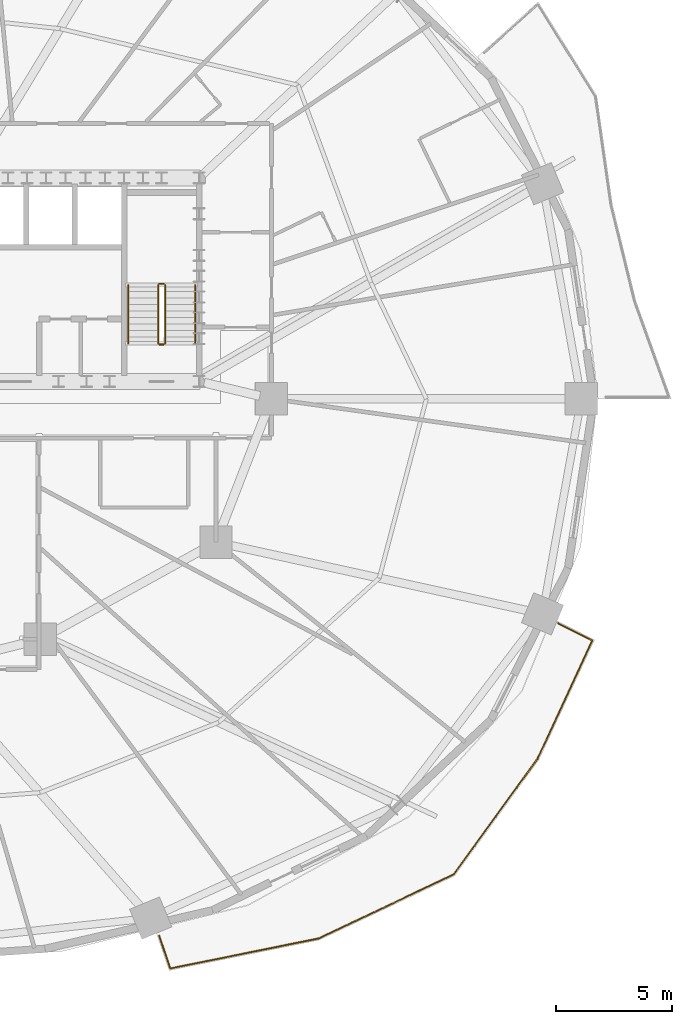
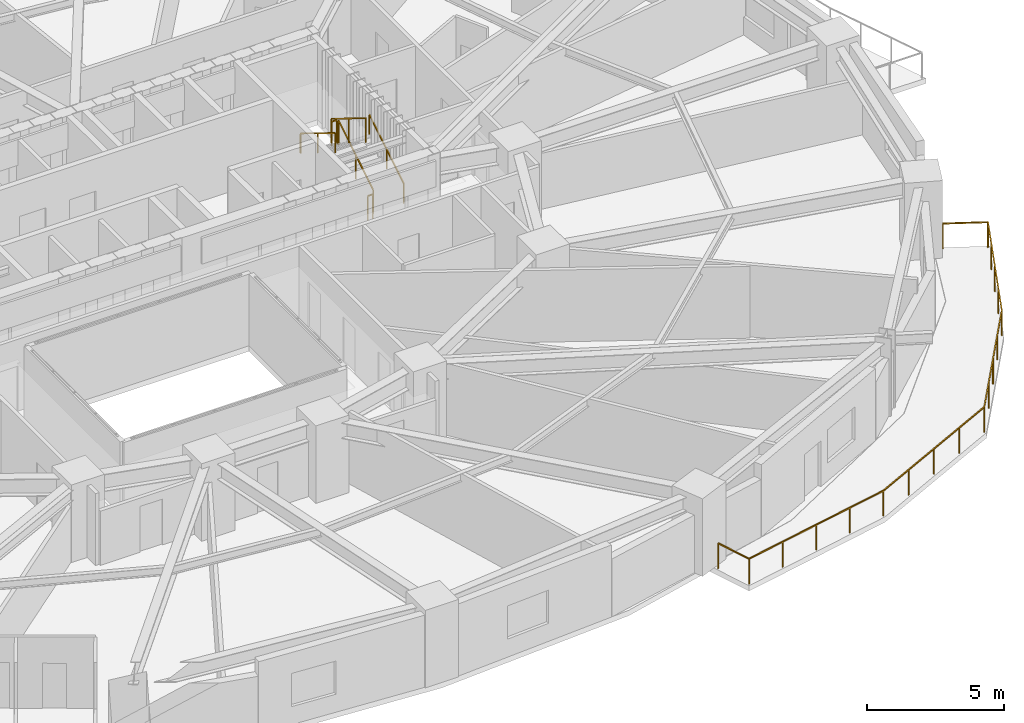
# One storey, part 16 of 17: 7 railings.
"""IFC4 building model written with IfcOpenShell, lengths in metres."""

from ifc_helpers import new_model, si_unit, direction, frame, origin, origin_2d, place, context, subcontext, project, spatial, rectangle, extrude, material, type_object, element, save


model = new_model("IFC4")

# Units and contexts
model_context = context("Model", 3, precision=1e-05, world=origin(), true_north=direction((0.0, 1.0)))
body_context = subcontext(model_context, "Body", "Model", "MODEL_VIEW")
ifc_project = project(units=[si_unit("LENGTHUNIT", "METRE"), si_unit("AREAUNIT", "SQUARE_METRE"), si_unit("VOLUMEUNIT", "CUBIC_METRE"), si_unit("PLANEANGLEUNIT", "RADIAN"), si_unit("MASSUNIT", "GRAM", prefix="KILO")], contexts=[model_context])

# Site, building, storey
site_placement = place(None, origin())
site = spatial("IfcSite", under=ifc_project, at=site_placement, CompositionType="ELEMENT")
building_placement = place(site_placement, origin())
building = spatial("IfcBuilding", under=site, at=building_placement, Name="Haldorwick Loom Tower", CompositionType="ELEMENT")
storey_placement = place(building_placement, frame((0.0, 0.0, 65.39990234375)))
storey = spatial("IfcBuildingStorey", under=building, at=storey_placement, Name="L17", CompositionType="ELEMENT", Elevation=65.39990234375)

# Railings
ifc_material_1 = material(Name="Galvanized Steel CSA G40.21 350W", Category="steel")
railing_type_1 = type_object("IfcRailingType", Name="ARC-RLG-BAL115", PredefinedType="BALUSTRADE", material=ifc_material_1)
railing_1_placement = place(storey_placement, frame((65.593994140625, 16.291748046875, 0.0)))
element("IfcRailing", 1, at=railing_1_placement, inside=storey, type_object=railing_type_1, Name="L17 Outdoor Terrace Guardrail SLB-L17-BAL_SE-1", PredefinedType="BALUSTRADE", context=body_context, shape_type="SweptSolid", body=[
    extrude(rectangle(XDim=0.048095703125, YDim=0.048095703125, at=origin_2d()), frame((0.0, 0.0, 1.1259765625), z_axis=(0.891661262254, -0.452703206744, 0.0), x_axis=(0.452703206744, 0.891661262254, 0.0)), (0.0, 0.0, 1.0), 1.65185546875),
    extrude(rectangle(XDim=0.048095703125, YDim=0.048095703125, at=origin_2d()), frame((1.472900390625, -0.747802734375, 1.1259765625), z_axis=(-0.420617836847, -0.907237915503, 0.0), x_axis=(0.907237915503, -0.420617836847, 0.0)), (0.0, 0.0, 1.0), 5.626220703125),
    extrude(rectangle(XDim=0.048095703125, YDim=0.048095703125, at=origin_2d()), frame((-0.8935546875, -5.85205078125, 1.1259765625), z_axis=(-0.586900247166, -0.809659249238, 0.0), x_axis=(0.809659249238, -0.586900247166, 0.0)), (0.0, 0.0, 1.0), 6.18017578125),
    extrude(rectangle(XDim=0.048095703125, YDim=0.048095703125, at=origin_2d()), frame((-4.520751953125, -10.85595703125, 1.1259765625), z_axis=(-0.903760901088, -0.428037654494, 0.0), x_axis=(0.428037654494, -0.903760901088, 0.0)), (0.0, 0.0, 1.0), 6.46630859375),
    extrude(rectangle(XDim=0.048095703125, YDim=0.048095703125, at=origin_2d()), frame((-10.36474609375, -13.623779296875, 1.1259765625), z_axis=(-0.980139965522, -0.198306953954, 0.0), x_axis=(0.198306953954, -0.980139965522, 0.0)), (0.0, 0.0, 1.0), 6.534912109375),
    extrude(rectangle(XDim=0.048095703125, YDim=0.048095703125, at=origin_2d()), frame((-16.769775390625, -14.919677734375, 1.1259765625), z_axis=(-0.32290577032, 0.946431119255, 0.0), x_axis=(-0.946431119255, -0.32290577032, 0.0)), (0.0, 0.0, 1.0), 1.500732421875),
    extrude(rectangle(XDim=0.0419921875, YDim=0.0419921875, at=origin_2d()), origin(), (0.0, 0.0, 1.0), 1.101806640625),
    extrude(rectangle(XDim=0.0419921875, YDim=0.0419921875, at=origin_2d()), frame((1.472900390625, -0.747802734375, 0.0)), (0.0, 0.0, 1.0), 1.101806640625),
    extrude(rectangle(XDim=0.0419921875, YDim=0.0419921875, at=origin_2d()), frame((0.88134765625, -2.02392578125, 0.0)), (0.0, 0.0, 1.0), 1.101806640625),
    extrude(rectangle(XDim=0.0419921875, YDim=0.0419921875, at=origin_2d()), frame((0.28955078125, -3.2998046875, 0.0)), (0.0, 0.0, 1.0), 1.101806640625),
    extrude(rectangle(XDim=0.0419921875, YDim=0.0419921875, at=origin_2d()), frame((-0.302001953125, -4.575927734375, 0.0)), (0.0, 0.0, 1.0), 1.101806640625),
    extrude(rectangle(XDim=0.0419921875, YDim=0.0419921875, at=origin_2d()), frame((-0.8935546875, -5.85205078125, 0.0)), (0.0, 0.0, 1.0), 1.101806640625),
    extrude(rectangle(XDim=0.0419921875, YDim=0.0419921875, at=origin_2d()), frame((-1.80029296875, -7.10302734375, 0.0)), (0.0, 0.0, 1.0), 1.101806640625),
    extrude(rectangle(XDim=0.0419921875, YDim=0.0419921875, at=origin_2d()), frame((-2.70703125, -8.35400390625, 0.0)), (0.0, 0.0, 1.0), 1.101806640625),
    extrude(rectangle(XDim=0.0419921875, YDim=0.0419921875, at=origin_2d()), frame((-3.614013671875, -9.60498046875, 0.0)), (0.0, 0.0, 1.0), 1.101806640625),
    extrude(rectangle(XDim=0.0419921875, YDim=0.0419921875, at=origin_2d()), frame((-4.520751953125, -10.85595703125, 0.0)), (0.0, 0.0, 1.0), 1.101806640625),
    extrude(rectangle(XDim=0.0419921875, YDim=0.0419921875, at=origin_2d()), frame((-5.981689453125, -11.5478515625, 0.0)), (0.0, 0.0, 1.0), 1.101806640625),
    extrude(rectangle(XDim=0.0419921875, YDim=0.0419921875, at=origin_2d()), frame((-7.44287109375, -12.23974609375, 0.0)), (0.0, 0.0, 1.0), 1.101806640625),
    extrude(rectangle(XDim=0.0419921875, YDim=0.0419921875, at=origin_2d()), frame((-8.90380859375, -12.931884765625, 0.0)), (0.0, 0.0, 1.0), 1.101806640625),
    extrude(rectangle(XDim=0.0419921875, YDim=0.0419921875, at=origin_2d()), frame((-10.36474609375, -13.623779296875, 0.0)), (0.0, 0.0, 1.0), 1.101806640625),
    extrude(rectangle(XDim=0.0419921875, YDim=0.0419921875, at=origin_2d()), frame((-11.966064453125, -13.94775390625, 0.0)), (0.0, 0.0, 1.0), 1.101806640625),
    extrude(rectangle(XDim=0.0419921875, YDim=0.0419921875, at=origin_2d()), frame((-13.5673828125, -14.271728515625, 0.0)), (0.0, 0.0, 1.0), 1.101806640625),
    extrude(rectangle(XDim=0.0419921875, YDim=0.0419921875, at=origin_2d()), frame((-15.16845703125, -14.595703125, 0.0)), (0.0, 0.0, 1.0), 1.101806640625),
    extrude(rectangle(XDim=0.0419921875, YDim=0.0419921875, at=origin_2d()), frame((-16.769775390625, -14.919677734375, 0.0)), (0.0, 0.0, 1.0), 1.101806640625),
    extrude(rectangle(XDim=0.0419921875, YDim=0.0419921875, at=origin_2d()), frame((-17.25439453125, -13.499267578125, 0.0)), (0.0, 0.0, 1.0), 1.101806640625),
])
ifc_material_2 = material(Name="Steel CSA G40.21 350W", Category="steel")
railing_type_2 = type_object("IfcRailingType", Name="ARC-RLG-GUARD112", PredefinedType="GUARDRAIL", material=ifc_material_2)
railing_2_placement = place(storey_placement, frame((48.60009765625, 28.39990234375, 0.172607421875)))
element("IfcRailing", 2, at=railing_2_placement, inside=storey, type_object=railing_type_2, Name="L17 ST-02 stair guard 1", PredefinedType="GUARDRAIL", context=body_context, shape_type="SweptSolid", body=[
    extrude(rectangle(XDim=0.048095703125, YDim=0.048095703125, at=origin_2d()), frame((0.0, 0.0, 1.076171875), z_axis=(0.0, 0.851400495292, 0.524516154772), x_axis=(-1.0, 0.0, 0.0)), (0.0, 0.0, 1.0), 2.9599609375),
    extrude(rectangle(XDim=0.0419921875, YDim=0.0419921875, at=origin_2d()), origin(), (0.0, 0.0, 1.0), 1.052001953125),
    extrude(rectangle(XDim=0.0419921875, YDim=0.0419921875, at=origin_2d()), frame((0.0, 1.260009765625, 0.7763671875)), (0.0, 0.0, 1.0), 1.052001953125),
    extrude(rectangle(XDim=0.0419921875, YDim=0.0419921875, at=origin_2d()), frame((0.0, 2.52001953125, 1.552490234375)), (0.0, 0.0, 1.0), 1.052001953125),
])
railing_3_placement = place(storey_placement, frame((48.550048828125, 30.969970703125, 1.72509765625)))
element("IfcRailing", 3, at=railing_3_placement, inside=storey, type_object=railing_type_2, Name="L17 ST-02 stair guard 2", PredefinedType="GUARDRAIL", context=body_context, shape_type="SweptSolid", body=[
    extrude(rectangle(XDim=0.048095703125, YDim=0.048095703125, at=origin_2d()), frame((0.0, 0.0, 1.076171875), z_axis=(-1.0, 0.0, 0.0), x_axis=(0.0, -1.0, 0.0)), (0.0, 0.0, 1.0), 0.199951171875),
    extrude(rectangle(XDim=0.0419921875, YDim=0.0419921875, at=origin_2d()), origin(), (0.0, 0.0, 1.0), 1.052001953125),
    extrude(rectangle(XDim=0.0419921875, YDim=0.0419921875, at=origin_2d()), frame((-0.199951171875, 0.0, 0.0)), (0.0, 0.0, 1.0), 1.052001953125),
])
railing_4_placement = place(storey_placement, frame((48.300048828125, 30.919921875, 1.897705078125)))
element("IfcRailing", 4, at=railing_4_placement, inside=storey, type_object=railing_type_2, Name="L17 ST-02 stair guard 3", PredefinedType="GUARDRAIL", context=body_context, shape_type="SweptSolid", body=[
    extrude(rectangle(XDim=0.048095703125, YDim=0.048095703125, at=origin_2d()), frame((0.0, 0.0, 1.076171875), z_axis=(0.0, -0.851400495292, 0.524516154772), x_axis=(1.0, 0.0, 0.0)), (0.0, 0.0, 1.0), 2.9599609375),
    extrude(rectangle(XDim=0.0419921875, YDim=0.0419921875, at=origin_2d()), origin(), (0.0, 0.0, 1.0), 1.052001953125),
    extrude(rectangle(XDim=0.0419921875, YDim=0.0419921875, at=origin_2d()), frame((0.0, -1.260009765625, 0.7763671875)), (0.0, 0.0, 1.0), 1.052001953125),
    extrude(rectangle(XDim=0.0419921875, YDim=0.0419921875, at=origin_2d()), frame((0.0, -2.52001953125, 1.552490234375)), (0.0, 0.0, 1.0), 1.052001953125),
])
railing_5_placement = place(storey_placement, frame((48.550048828125, 28.35009765625, 0.0)))
element("IfcRailing", 5, at=railing_5_placement, inside=storey, type_object=railing_type_2, Name="L17 ST-02 stair guard 4", PredefinedType="GUARDRAIL", context=body_context, shape_type="SweptSolid", body=[
    extrude(rectangle(XDim=0.048095703125, YDim=0.048095703125, at=origin_2d()), frame((0.0, 0.0, 1.076171875), z_axis=(-1.0, 0.0, 0.0), x_axis=(0.0, -1.0, 0.0)), (0.0, 0.0, 1.0), 0.199951171875),
    extrude(rectangle(XDim=0.0419921875, YDim=0.0419921875, at=origin_2d()), origin(), (0.0, 0.0, 1.0), 1.052001953125),
    extrude(rectangle(XDim=0.0419921875, YDim=0.0419921875, at=origin_2d()), frame((-0.199951171875, 0.0, 0.0)), (0.0, 0.0, 1.0), 1.052001953125),
])
railing_type_3 = type_object("IfcRailingType", Name="ARC-RLG-HAND092", PredefinedType="HANDRAIL", material=ifc_material_2)
railing_6_placement = place(storey_placement, frame((49.89990234375, 28.39990234375, 0.172607421875)))
element("IfcRailing", 6, at=railing_6_placement, inside=storey, type_object=railing_type_3, Name="L17 ST-02 stair handrail 1", PredefinedType="HANDRAIL", context=body_context, shape_type="SweptSolid", body=[
    extrude(rectangle(XDim=0.048095703125, YDim=0.048095703125, at=origin_2d()), frame((0.0, 0.0, 0.8759765625), z_axis=(0.0, 0.851400495292, 0.524516154772), x_axis=(-1.0, 0.0, 0.0)), (0.0, 0.0, 1.0), 2.9599609375),
    extrude(rectangle(XDim=0.0419921875, YDim=0.0419921875, at=origin_2d()), origin(), (0.0, 0.0, 1.0), 0.851806640625),
    extrude(rectangle(XDim=0.0419921875, YDim=0.0419921875, at=origin_2d()), frame((0.0, 1.260009765625, 0.7763671875)), (0.0, 0.0, 1.0), 0.851806640625),
    extrude(rectangle(XDim=0.0419921875, YDim=0.0419921875, at=origin_2d()), frame((0.0, 2.52001953125, 1.552490234375)), (0.0, 0.0, 1.0), 0.851806640625),
])
railing_7_placement = place(storey_placement, frame((47.0, 30.919921875, 1.897705078125)))
element("IfcRailing", 7, at=railing_7_placement, inside=storey, type_object=railing_type_3, Name="L17 ST-02 stair handrail 2", PredefinedType="HANDRAIL", context=body_context, shape_type="SweptSolid", body=[
    extrude(rectangle(XDim=0.048095703125, YDim=0.048095703125, at=origin_2d()), frame((0.0, 0.0, 0.8759765625), z_axis=(0.0, -0.851400495292, 0.524516154772), x_axis=(1.0, 0.0, 0.0)), (0.0, 0.0, 1.0), 2.9599609375),
    extrude(rectangle(XDim=0.0419921875, YDim=0.0419921875, at=origin_2d()), origin(), (0.0, 0.0, 1.0), 0.851806640625),
    extrude(rectangle(XDim=0.0419921875, YDim=0.0419921875, at=origin_2d()), frame((0.0, -1.260009765625, 0.7763671875)), (0.0, 0.0, 1.0), 0.851806640625),
    extrude(rectangle(XDim=0.0419921875, YDim=0.0419921875, at=origin_2d()), frame((0.0, -2.52001953125, 1.552490234375)), (0.0, 0.0, 1.0), 0.851806640625),
])

save(model, "model.ifc")
